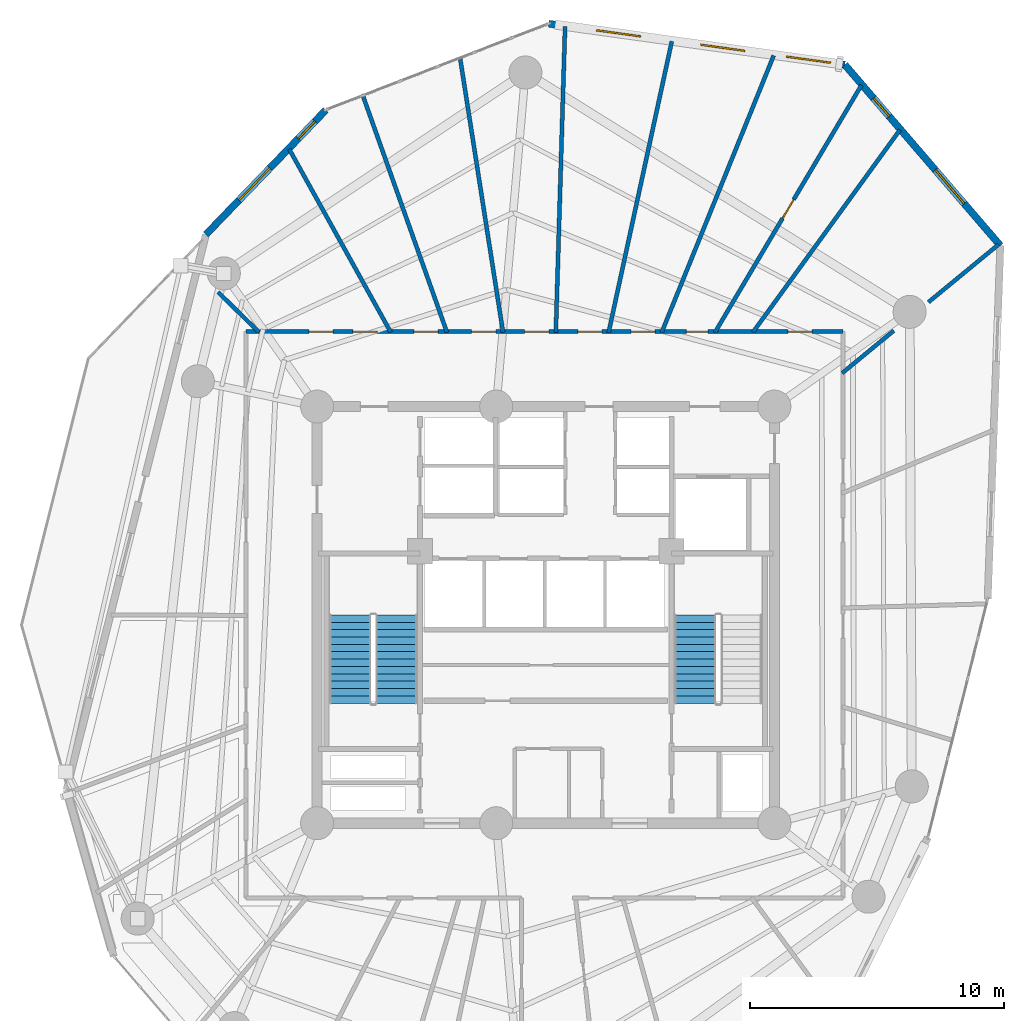
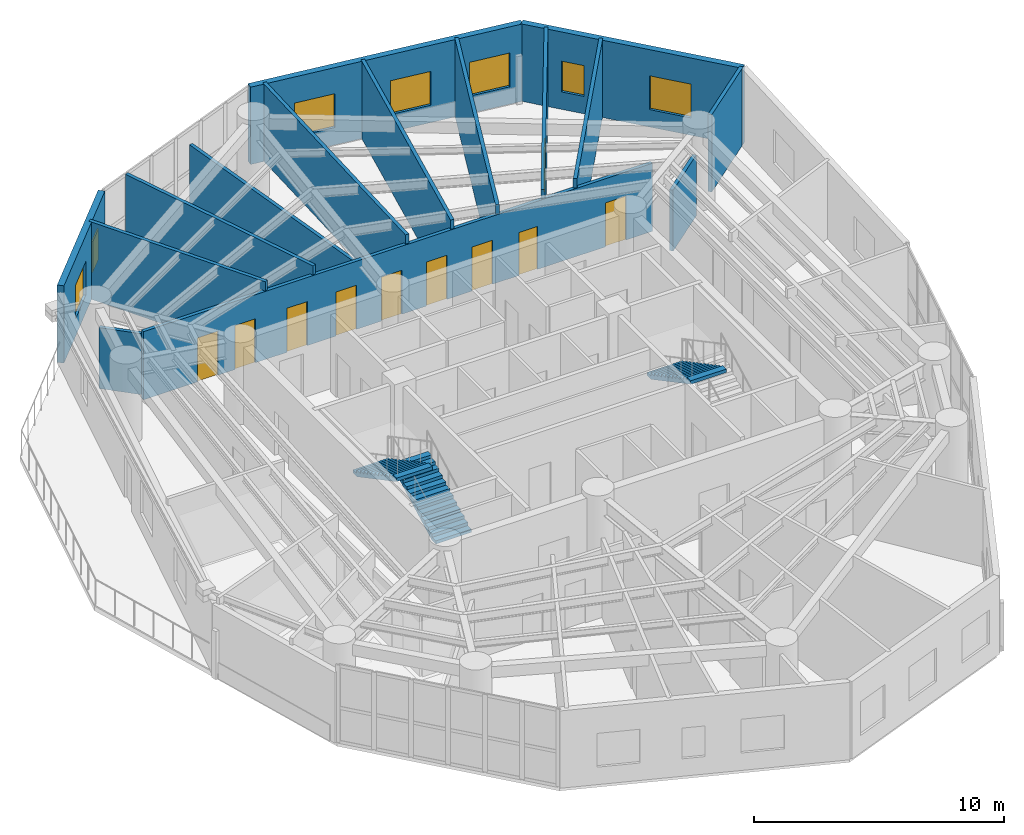
# One storey, part 10 of 14: 15 walls, 10 doors, 7 windows, 3 stair flights, 17 openings, 2 elements without a shape of their own.
"""IFC4 building model written with IfcOpenShell, lengths in metres."""

from ifc_helpers import new_model, si_unit, direction, frame, frame_2d, origin, origin_with_axes, place, context, subcontext, project, spatial, polyline, rectangle, outline, extrude, source, transform, mapped, material, layer, layer_set, type_object, element, fill, aggregate, save


model = new_model("IFC4")

# Units and contexts
model_context = context("Model", 3, precision=1e-05, world=origin(), true_north=direction((0.0, 1.0)))
body_context = subcontext(model_context, "Body", "Model", "MODEL_VIEW")
ifc_project = project(units=[si_unit("LENGTHUNIT", "METRE"), si_unit("AREAUNIT", "SQUARE_METRE"), si_unit("VOLUMEUNIT", "CUBIC_METRE"), si_unit("PLANEANGLEUNIT", "RADIAN"), si_unit("MASSUNIT", "GRAM", prefix="KILO")], contexts=[model_context])

# Site, building, storey
site_placement = place(None, origin())
site = spatial("IfcSite", under=ifc_project, at=site_placement, CompositionType="ELEMENT")
building_placement = place(site_placement, origin())
building = spatial("IfcBuilding", under=site, at=building_placement, Name="Karkom Vertical University and Central Library", CompositionType="ELEMENT")
storey_placement = place(building_placement, frame((0.0, 0.0, 152.550048828125)))
storey = spatial("IfcBuildingStorey", under=building, at=storey_placement, Name="L43", CompositionType="ELEMENT", Elevation=152.550048828125)

# Wall, openings, windows
ifc_material_1 = material(Name="Brick-faced precast concrete C45/55", Category="masonry")
ifc_layer_1 = layer(ifc_material_1, 0.280029296875)
ifc_layer_set_1 = layer_set([ifc_layer_1], Name="Brick-faced precast concrete C45/55")
wall_type_1 = type_object("IfcWallType", Name="ENV-WL-BRK-280", PredefinedType="SOLIDWALL", material=ifc_layer_set_1)
wall_1_placement = place(storey_placement, frame((46.398193359375, 41.035400390625, 0.0), z_axis=(0.0, 0.0, 1.0), x_axis=(-0.65197022464, 0.758244568845, 0.0)))
wall_1 = element("IfcWall", 1, at=wall_1_placement, inside=storey, type_object=wall_type_1, Name="Level 43 Brick-Faced Precast Facade Wall 08", PredefinedType="SOLIDWALL", context=body_context, shape_type="SweptSolid", body=[
    extrude(rectangle(XDim=9.39111328125, YDim=0.280029296875, at=frame_2d((4.695556640625, 0.0))), origin(), (0.0, 0.0, 1.0), 3.77490234375),
])
opening_1_placement = place(wall_1_placement, frame((2.1796875, 0.0, 0.85009765625)))
opening_1 = element("IfcOpeningElement", 2, at=opening_1_placement, cuts=wall_1, Name="Opening WN-08", PredefinedType="OPENING", context=body_context, shape_type="SweptSolid", body=[
    extrude(rectangle(XDim=1.75, YDim=1.64990234375, at=frame_2d((0.875, 0.824951171875))), frame((0.0, 0.14990234375, 0.0), z_axis=(0.0, -1.0, 0.0), x_axis=(1.0, 0.0, 0.0)), (0.0, 0.0, 1.0), 0.300048828125),
])
opening_2_placement = place(wall_1_placement, frame((6.710693359375, 0.0, 0.85009765625)))
opening_2 = element("IfcOpeningElement", 3, at=opening_2_placement, cuts=wall_1, Name="Opening WN-12", PredefinedType="OPENING", context=body_context, shape_type="SweptSolid", body=[
    extrude(rectangle(XDim=0.949951171875, YDim=1.5, at=frame_2d((0.47509765625, 0.75))), frame((0.0, 0.14990234375, 0.0), z_axis=(0.0, -1.0, 0.0), x_axis=(1.0, 0.0, 0.0)), (0.0, 0.0, 1.0), 0.300048828125),
])
ifc_material_2 = material(Name="Aluminium thermal-break frame with solar-control IGU", Category="aluminium")
window_type_1 = type_object("IfcWindowType", Name="ENV-WIN-WN-12", PartitioningType="SINGLE_PANEL", PredefinedType="WINDOW", material=ifc_material_2)
shared_shape_1 = source(origin_with_axes(), body_context, "Body", "SweptSolid", [
    extrude(rectangle(XDim=0.949951171875, YDim=1.5, at=frame_2d((0.47509765625, 0.75))), frame((0.0, 0.030029296875, 0.0), z_axis=(0.0, -1.0, 0.0), x_axis=(1.0, 0.0, 0.0)), (0.0, 0.0, 1.0), 0.06005859375),
])
window_1_placement = place(opening_2_placement, origin())
window_1 = element("IfcWindow", 4, at=window_1_placement, inside=storey, type_object=window_type_1, Name="Level 43 Punched Window 8.2", OverallHeight=1.5, OverallWidth=0.949951171875, PartitioningType="SINGLE_PANEL", PredefinedType="WINDOW", context=body_context, shape_type="MappedRepresentation", body=[
    mapped(shared_shape_1, transform((0.0, 0.0, 0.0), scale=1.0)),
])
fill(opening_2, window_1)
window_type_2 = type_object("IfcWindowType", Name="ENV-WIN-WN-08", PartitioningType="SINGLE_PANEL", PredefinedType="WINDOW", material=ifc_material_2)
shared_shape_2 = source(origin_with_axes(), body_context, "Body", "SweptSolid", [
    extrude(rectangle(XDim=1.75, YDim=1.64990234375, at=frame_2d((0.875, 0.824951171875))), frame((0.0, 0.030029296875, 0.0), z_axis=(0.0, -1.0, 0.0), x_axis=(1.0, 0.0, 0.0)), (0.0, 0.0, 1.0), 0.06005859375),
])
window_2_placement = place(opening_1_placement, origin())
window_2 = element("IfcWindow", 5, at=window_2_placement, inside=storey, type_object=window_type_2, Name="Level 43 Punched Window 8.1", OverallHeight=1.64990234375, OverallWidth=1.75, PartitioningType="SINGLE_PANEL", PredefinedType="WINDOW", context=body_context, shape_type="MappedRepresentation", body=[
    mapped(shared_shape_2, transform((0.0, 0.0, 0.0), scale=1.0)),
])
fill(opening_1, window_2)

wall_2_placement = place(storey_placement, frame((40.275390625, 48.15625, 0.0), z_axis=(0.0, 0.0, 1.0), x_axis=(-0.990517311094, 0.137387977726, 0.0)))
wall_2 = element("IfcWall", 6, at=wall_2_placement, inside=storey, type_object=wall_type_1, Name="Level 43 Brick-Faced Precast Facade Wall 09", PredefinedType="SOLIDWALL", context=body_context, shape_type="SweptSolid", body=[
    extrude(rectangle(XDim=11.765625, YDim=0.280029296875, at=frame_2d((5.8828125, 0.0))), origin(), (0.0, 0.0, 1.0), 3.77490234375),
])
opening_3_placement = place(wall_2_placement, frame((0.572021484375, 0.0, 0.85009765625)))
opening_3 = element("IfcOpeningElement", 7, at=opening_3_placement, cuts=wall_2, Name="Opening WN-08", PredefinedType="OPENING", context=body_context, shape_type="SweptSolid", body=[
    extrude(rectangle(XDim=1.75, YDim=1.64990234375, at=frame_2d((0.875, 0.824951171875))), frame((0.0, 0.14990234375, 0.0), z_axis=(0.0, -1.0, 0.0), x_axis=(1.0, 0.0, 0.0)), (0.0, 0.0, 1.0), 0.300048828125),
])
opening_4_placement = place(wall_2_placement, frame((3.98095703125, 0.0, 0.85009765625)))
opening_4 = element("IfcOpeningElement", 8, at=opening_4_placement, cuts=wall_2, Name="Opening WN-08", PredefinedType="OPENING", context=body_context, shape_type="SweptSolid", body=[
    extrude(rectangle(XDim=1.75, YDim=1.64990234375, at=frame_2d((0.875, 0.824951171875))), frame((0.0, 0.14990234375, 0.0), z_axis=(0.0, -1.0, 0.0), x_axis=(1.0, 0.0, 0.0)), (0.0, 0.0, 1.0), 0.300048828125),
])
opening_5_placement = place(wall_2_placement, frame((8.12060546875, 0.0, 0.85009765625)))
opening_5 = element("IfcOpeningElement", 9, at=opening_5_placement, cuts=wall_2, Name="Opening WN-08", PredefinedType="OPENING", context=body_context, shape_type="SweptSolid", body=[
    extrude(rectangle(XDim=1.75, YDim=1.64990234375, at=frame_2d((0.875, 0.824951171875))), frame((0.0, 0.14990234375, 0.0), z_axis=(0.0, -1.0, 0.0), x_axis=(1.0, 0.0, 0.0)), (0.0, 0.0, 1.0), 0.300048828125),
])
window_3_placement = place(opening_3_placement, origin())
window_3 = element("IfcWindow", 10, at=window_3_placement, inside=storey, type_object=window_type_2, Name="Level 43 Punched Window 9.1", OverallHeight=1.64990234375, OverallWidth=1.75, PartitioningType="SINGLE_PANEL", PredefinedType="WINDOW", context=body_context, shape_type="MappedRepresentation", body=[
    mapped(shared_shape_2, transform((0.0, 0.0, 0.0), scale=1.0)),
])
fill(opening_3, window_3)
window_4_placement = place(opening_4_placement, origin())
window_4 = element("IfcWindow", 11, at=window_4_placement, inside=storey, type_object=window_type_2, Name="Level 43 Punched Window 9.2", OverallHeight=1.64990234375, OverallWidth=1.75, PartitioningType="SINGLE_PANEL", PredefinedType="WINDOW", context=body_context, shape_type="MappedRepresentation", body=[
    mapped(shared_shape_2, transform((0.0, 0.0, 0.0), scale=1.0)),
])
fill(opening_4, window_4)
window_5_placement = place(opening_5_placement, origin())
window_5 = element("IfcWindow", 12, at=window_5_placement, inside=storey, type_object=window_type_2, Name="Level 43 Punched Window 9.3", OverallHeight=1.64990234375, OverallWidth=1.75, PartitioningType="SINGLE_PANEL", PredefinedType="WINDOW", context=body_context, shape_type="MappedRepresentation", body=[
    mapped(shared_shape_2, transform((0.0, 0.0, 0.0), scale=1.0)),
])
fill(opening_5, window_5)

wall_3_placement = place(storey_placement, frame((19.843994140625, 46.377197265625, 0.0), z_axis=(0.0, 0.0, 1.0), x_axis=(-0.69372431488, -0.720240636833, 0.0)))
wall_3 = element("IfcWall", 13, at=wall_3_placement, inside=storey, type_object=wall_type_1, Name="Level 43 Brick-Faced Precast Facade Wall 11", PredefinedType="SOLIDWALL", context=body_context, shape_type="SweptSolid", body=[
    extrude(rectangle(XDim=6.813232421875, YDim=0.280029296875, at=frame_2d((3.40673828125, 0.0))), origin(), (0.0, 0.0, 1.0), 3.77490234375),
])
opening_6_placement = place(wall_3_placement, frame((0.61572265625, 0.0, 0.85009765625)))
opening_6 = element("IfcOpeningElement", 14, at=opening_6_placement, cuts=wall_3, Name="Opening WN-12", PredefinedType="OPENING", context=body_context, shape_type="SweptSolid", body=[
    extrude(rectangle(XDim=0.949951171875, YDim=1.5, at=frame_2d((0.47509765625, 0.75))), frame((0.0, 0.14990234375, 0.0), z_axis=(0.0, -1.0, 0.0), x_axis=(1.0, 0.0, 0.0)), (0.0, 0.0, 1.0), 0.300048828125),
])
opening_7_placement = place(wall_3_placement, frame((3.180419921875, 0.0, 0.85009765625)))
opening_7 = element("IfcOpeningElement", 15, at=opening_7_placement, cuts=wall_3, Name="Opening WN-08", PredefinedType="OPENING", context=body_context, shape_type="SweptSolid", body=[
    extrude(rectangle(XDim=1.75, YDim=1.64990234375, at=frame_2d((0.875, 0.824951171875))), frame((0.0, 0.14990234375, 0.0), z_axis=(0.0, -1.0, 0.0), x_axis=(1.0, 0.0, 0.0)), (0.0, 0.0, 1.0), 0.300048828125),
])
window_6_placement = place(opening_6_placement, origin())
window_6 = element("IfcWindow", 16, at=window_6_placement, inside=storey, type_object=window_type_1, Name="Level 43 Punched Window 11.1", OverallHeight=1.5, OverallWidth=0.949951171875, PartitioningType="SINGLE_PANEL", PredefinedType="WINDOW", context=body_context, shape_type="MappedRepresentation", body=[
    mapped(shared_shape_1, transform((0.0, 0.0, 0.0), scale=1.0)),
])
fill(opening_6, window_6)
window_7_placement = place(opening_7_placement, origin())
window_7 = element("IfcWindow", 17, at=window_7_placement, inside=storey, type_object=window_type_2, Name="Level 43 Punched Window 11.2", OverallHeight=1.64990234375, OverallWidth=1.75, PartitioningType="SINGLE_PANEL", PredefinedType="WINDOW", context=body_context, shape_type="MappedRepresentation", body=[
    mapped(shared_shape_2, transform((0.0, 0.0, 0.0), scale=1.0)),
])
fill(opening_7, window_7)

# Wall, openings, doors
ifc_material_3 = material(Name="Insulated metal-stud drywall 160mm", Category="gypsum")
ifc_layer_2 = layer(ifc_material_3, 0.159912109375)
ifc_layer_set_2 = layer_set([ifc_layer_2], Name="Insulated metal-stud drywall 160mm")
wall_type_2 = type_object("IfcWallType", Name="INT-WL-COR-160", PredefinedType="PARTITIONING", material=ifc_layer_set_2)
wall_4_placement = place(storey_placement, frame((16.699951171875, 37.64990234375, 0.0), z_axis=(0.0, 0.0, 1.0), x_axis=(1.0, 0.0, 0.0)))
wall_4 = element("IfcWall", 18, at=wall_4_placement, inside=storey, type_object=wall_type_2, Name="Level 43 Interior Partition Wall L43-CORW-CW-003", PredefinedType="PARTITIONING", context=body_context, shape_type="SweptSolid", body=[
    extrude(rectangle(XDim=23.5, YDim=0.159912109375, at=frame_2d((11.75, 0.0))), origin(), (0.0, 0.0, 1.0), 3.324951171875),
])
opening_8_placement = place(wall_4_placement, frame((21.330810546875, 0.0, 0.0)))
opening_8 = element("IfcOpeningElement", 19, at=opening_8_placement, cuts=wall_4, Name="Opening D-RM1", PredefinedType="OPENING", context=body_context, shape_type="SweptSolid", body=[
    extrude(rectangle(XDim=0.949951171875, YDim=2.14990234375, at=frame_2d((0.47509765625, 1.074951171875))), frame((0.0, 0.08984375, 0.0), z_axis=(0.0, -1.0, 0.0), x_axis=(1.0, 0.0, 0.0)), (0.0, 0.0, 1.0), 0.179931640625),
])
opening_9_placement = place(wall_4_placement, frame((17.334228515625, 0.0, 0.0)))
opening_9 = element("IfcOpeningElement", 20, at=opening_9_placement, cuts=wall_4, Name="Opening D-BATH", PredefinedType="OPENING", context=body_context, shape_type="SweptSolid", body=[
    extrude(rectangle(XDim=0.860107421875, YDim=2.10009765625, at=frame_2d((0.43017578125, 1.050048828125))), frame((0.0, 0.08984375, 0.0), z_axis=(0.0, -1.0, 0.0), x_axis=(1.0, 0.0, 0.0)), (0.0, 0.0, 1.0), 0.179931640625),
])
opening_10_placement = place(wall_4_placement, frame((15.159912109375, 0.0, 0.0)))
opening_10 = element("IfcOpeningElement", 21, at=opening_10_placement, cuts=wall_4, Name="Opening D-RM1", PredefinedType="OPENING", context=body_context, shape_type="SweptSolid", body=[
    extrude(rectangle(XDim=0.949951171875, YDim=2.14990234375, at=frame_2d((0.47509765625, 1.074951171875))), frame((0.0, 0.08984375, 0.0), z_axis=(0.0, -1.0, 0.0), x_axis=(1.0, 0.0, 0.0)), (0.0, 0.0, 1.0), 0.179931640625),
])
opening_11_placement = place(wall_4_placement, frame((13.06005859375, 0.0, 0.0)))
opening_11 = element("IfcOpeningElement", 22, at=opening_11_placement, cuts=wall_4, Name="Opening D-RM1", PredefinedType="OPENING", context=body_context, shape_type="SweptSolid", body=[
    extrude(rectangle(XDim=0.949951171875, YDim=2.14990234375, at=frame_2d((0.47509765625, 1.074951171875))), frame((0.0, 0.08984375, 0.0), z_axis=(0.0, -1.0, 0.0), x_axis=(1.0, 0.0, 0.0)), (0.0, 0.0, 1.0), 0.179931640625),
])
opening_12_placement = place(wall_4_placement, frame((10.972900390625, 0.0, 0.0)))
opening_12 = element("IfcOpeningElement", 23, at=opening_12_placement, cuts=wall_4, Name="Opening D-RM1", PredefinedType="OPENING", context=body_context, shape_type="SweptSolid", body=[
    extrude(rectangle(XDim=0.949951171875, YDim=2.14990234375, at=frame_2d((0.47509765625, 1.074951171875))), frame((0.0, 0.08984375, 0.0), z_axis=(0.0, -1.0, 0.0), x_axis=(1.0, 0.0, 0.0)), (0.0, 0.0, 1.0), 0.179931640625),
])
opening_13_placement = place(wall_4_placement, frame((8.885009765625, 0.0, 0.0)))
opening_13 = element("IfcOpeningElement", 24, at=opening_13_placement, cuts=wall_4, Name="Opening D-RM1", PredefinedType="OPENING", context=body_context, shape_type="SweptSolid", body=[
    extrude(rectangle(XDim=0.949951171875, YDim=2.14990234375, at=frame_2d((0.47509765625, 1.074951171875))), frame((0.0, 0.08984375, 0.0), z_axis=(0.0, -1.0, 0.0), x_axis=(1.0, 0.0, 0.0)), (0.0, 0.0, 1.0), 0.179931640625),
])
opening_14_placement = place(wall_4_placement, frame((6.610107421875, 0.0, 0.0)))
opening_14 = element("IfcOpeningElement", 25, at=opening_14_placement, cuts=wall_4, Name="Opening D-RM1", PredefinedType="OPENING", context=body_context, shape_type="SweptSolid", body=[
    extrude(rectangle(XDim=0.949951171875, YDim=2.14990234375, at=frame_2d((0.47509765625, 1.074951171875))), frame((0.0, 0.08984375, 0.0), z_axis=(0.0, -1.0, 0.0), x_axis=(1.0, 0.0, 0.0)), (0.0, 0.0, 1.0), 0.179931640625),
])
opening_15_placement = place(wall_4_placement, frame((4.2099609375, 0.0, 0.0)))
opening_15 = element("IfcOpeningElement", 26, at=opening_15_placement, cuts=wall_4, Name="Opening D-RM1", PredefinedType="OPENING", context=body_context, shape_type="SweptSolid", body=[
    extrude(rectangle(XDim=0.949951171875, YDim=2.14990234375, at=frame_2d((0.47509765625, 1.074951171875))), frame((0.0, 0.08984375, 0.0), z_axis=(0.0, -1.0, 0.0), x_axis=(1.0, 0.0, 0.0)), (0.0, 0.0, 1.0), 0.179931640625),
])
opening_16_placement = place(wall_4_placement, frame((2.481689453125, 0.0, 0.0)))
opening_16 = element("IfcOpeningElement", 27, at=opening_16_placement, cuts=wall_4, Name="Opening D-RM1", PredefinedType="OPENING", context=body_context, shape_type="SweptSolid", body=[
    extrude(rectangle(XDim=0.949951171875, YDim=2.14990234375, at=frame_2d((0.47509765625, 1.074951171875))), frame((0.0, 0.08984375, 0.0), z_axis=(0.0, -1.0, 0.0), x_axis=(1.0, 0.0, 0.0)), (0.0, 0.0, 1.0), 0.179931640625),
])
ifc_material_4 = material(Name="Moisture-resistant oak door", Category="wood")
door_type_1 = type_object("IfcDoorType", Name="INT-DR-BATH", OperationType="NOTDEFINED", PredefinedType="DOOR", material=ifc_material_4)
shared_shape_3 = source(origin_with_axes(), body_context, "Body", "SweptSolid", [
    extrude(rectangle(XDim=0.860107421875, YDim=2.10009765625, at=frame_2d((0.43017578125, 1.050048828125))), frame((0.0, 0.02490234375, 0.0), z_axis=(0.0, -1.0, 0.0), x_axis=(1.0, 0.0, 0.0)), (0.0, 0.0, 1.0), 0.050048828125),
])
door_1_placement = place(opening_9_placement, origin())
door_1 = element("IfcDoor", 28, at=door_1_placement, inside=storey, type_object=door_type_1, Name="Level 43 Room Entry Door 150", OperationType="SINGLE_SWING_RIGHT", OverallHeight=2.10009765625, OverallWidth=0.860107421875, PredefinedType="DOOR", context=body_context, shape_type="MappedRepresentation", body=[
    mapped(shared_shape_3, transform((0.0, 0.0, 0.0), scale=1.0)),
])
fill(opening_9, door_1)
ifc_material_5 = material(Name="Solid-core oak veneer door", Category="wood")
door_type_2 = type_object("IfcDoorType", Name="INT-DR-RM1", OperationType="NOTDEFINED", PredefinedType="DOOR", material=ifc_material_5)
shared_shape_4 = source(origin_with_axes(), body_context, "Body", "SweptSolid", [
    extrude(rectangle(XDim=0.949951171875, YDim=2.14990234375, at=frame_2d((0.47509765625, 1.074951171875))), frame((0.0, 0.02490234375, 0.0), z_axis=(0.0, -1.0, 0.0), x_axis=(1.0, 0.0, 0.0)), (0.0, 0.0, 1.0), 0.050048828125),
])
door_2_placement = place(opening_8_placement, origin())
door_2 = element("IfcDoor", 29, at=door_2_placement, inside=storey, type_object=door_type_2, Name="Level 43 Room Entry Door 140", OperationType="SINGLE_SWING_LEFT", OverallHeight=2.14990234375, OverallWidth=0.949951171875, PredefinedType="DOOR", context=body_context, shape_type="MappedRepresentation", body=[
    mapped(shared_shape_4, transform((0.0, 0.0, 0.0), scale=1.0)),
])
fill(opening_8, door_2)
door_3_placement = place(opening_10_placement, origin())
door_3 = element("IfcDoor", 30, at=door_3_placement, inside=storey, type_object=door_type_2, Name="Level 43 Room Entry Door 160", OperationType="SINGLE_SWING_LEFT", OverallHeight=2.14990234375, OverallWidth=0.949951171875, PredefinedType="DOOR", context=body_context, shape_type="MappedRepresentation", body=[
    mapped(shared_shape_4, transform((0.0, 0.0, 0.0), scale=1.0)),
])
fill(opening_10, door_3)
door_4_placement = place(opening_11_placement, origin())
door_4 = element("IfcDoor", 31, at=door_4_placement, inside=storey, type_object=door_type_2, Name="Level 43 Room Entry Door 170", OperationType="SINGLE_SWING_RIGHT", OverallHeight=2.14990234375, OverallWidth=0.949951171875, PredefinedType="DOOR", context=body_context, shape_type="MappedRepresentation", body=[
    mapped(shared_shape_4, transform((0.0, 0.0, 0.0), scale=1.0)),
])
fill(opening_11, door_4)
door_5_placement = place(opening_12_placement, origin())
door_5 = element("IfcDoor", 32, at=door_5_placement, inside=storey, type_object=door_type_2, Name="Level 43 Room Entry Door 180", OperationType="SINGLE_SWING_LEFT", OverallHeight=2.14990234375, OverallWidth=0.949951171875, PredefinedType="DOOR", context=body_context, shape_type="MappedRepresentation", body=[
    mapped(shared_shape_4, transform((0.0, 0.0, 0.0), scale=1.0)),
])
fill(opening_12, door_5)
door_6_placement = place(opening_13_placement, origin())
door_6 = element("IfcDoor", 33, at=door_6_placement, inside=storey, type_object=door_type_2, Name="Level 43 Room Entry Door 190", OperationType="SINGLE_SWING_RIGHT", OverallHeight=2.14990234375, OverallWidth=0.949951171875, PredefinedType="DOOR", context=body_context, shape_type="MappedRepresentation", body=[
    mapped(shared_shape_4, transform((0.0, 0.0, 0.0), scale=1.0)),
])
fill(opening_13, door_6)
door_7_placement = place(opening_14_placement, origin())
door_7 = element("IfcDoor", 34, at=door_7_placement, inside=storey, type_object=door_type_2, Name="Level 43 Room Entry Door 200", OperationType="SINGLE_SWING_LEFT", OverallHeight=2.14990234375, OverallWidth=0.949951171875, PredefinedType="DOOR", context=body_context, shape_type="MappedRepresentation", body=[
    mapped(shared_shape_4, transform((0.0, 0.0, 0.0), scale=1.0)),
])
fill(opening_14, door_7)
door_8_placement = place(opening_15_placement, origin())
door_8 = element("IfcDoor", 35, at=door_8_placement, inside=storey, type_object=door_type_2, Name="Level 43 Room Entry Door 210", OperationType="SINGLE_SWING_RIGHT", OverallHeight=2.14990234375, OverallWidth=0.949951171875, PredefinedType="DOOR", context=body_context, shape_type="MappedRepresentation", body=[
    mapped(shared_shape_4, transform((0.0, 0.0, 0.0), scale=1.0)),
])
fill(opening_15, door_8)
door_9_placement = place(opening_16_placement, origin())
door_9 = element("IfcDoor", 36, at=door_9_placement, inside=storey, type_object=door_type_2, Name="Level 43 Room Entry Door 220", OperationType="SINGLE_SWING_LEFT", OverallHeight=2.14990234375, OverallWidth=0.949951171875, PredefinedType="DOOR", context=body_context, shape_type="MappedRepresentation", body=[
    mapped(shared_shape_4, transform((0.0, 0.0, 0.0), scale=1.0)),
])
fill(opening_16, door_9)

# Walls
wall_5_placement = place(storey_placement, frame((28.896240234375, 37.6201171875, 0.0), z_axis=(0.0, 0.0, 1.0), x_axis=(0.030223460997, 0.999543166854, 0.0)))
element("IfcWall", 37, at=wall_5_placement, inside=storey, type_object=wall_type_2, Name="Level 43 Interior Partition Wall L43-PW-022", PredefinedType="PARTITIONING", context=body_context, shape_type="SweptSolid", body=[
    extrude(rectangle(XDim=12.044189453125, YDim=0.159912109375, at=frame_2d((6.02197265625, 0.0))), origin(), (0.0, 0.0, 1.0), 3.77490234375),
])
wall_6_placement = place(storey_placement, frame((33.05908203125, 37.6083984375, 0.0), z_axis=(0.0, 0.0, 1.0), x_axis=(0.375071800274, 0.926995763011, 0.0)))
element("IfcWall", 38, at=wall_6_placement, inside=storey, type_object=wall_type_2, Name="Level 43 Interior Partition Wall L43-PW-020", PredefinedType="PARTITIONING", context=body_context, shape_type="SweptSolid", body=[
    extrude(rectangle(XDim=11.7685546875, YDim=0.159912109375, at=frame_2d((5.88427734375, 0.0))), origin(), (0.0, 0.0, 1.0), 3.77490234375),
])
wall_7_placement = place(storey_placement, frame((30.97216796875, 37.60595703125, 0.0), z_axis=(0.0, 0.0, 1.0), x_axis=(0.212126520702, 0.97724221113, 0.0)))
element("IfcWall", 39, at=wall_7_placement, inside=storey, type_object=wall_type_2, Name="Level 43 Interior Partition Wall L43-PW-021", PredefinedType="PARTITIONING", context=body_context, shape_type="SweptSolid", body=[
    extrude(rectangle(XDim=11.737060546875, YDim=0.159912109375, at=frame_2d((5.86865234375, 0.0))), origin(), (0.0, 0.0, 1.0), 3.77490234375),
])

# Wall, opening, door
wall_8_placement = place(storey_placement, frame((35.155029296875, 37.611328125, 0.0), z_axis=(0.0, 0.0, 1.0), x_axis=(0.509830756174, 0.860274723597, 0.0)))
wall_8 = element("IfcWall", 40, at=wall_8_placement, inside=storey, type_object=wall_type_2, Name="Level 43 Interior Partition Wall L43-PW-019", PredefinedType="PARTITIONING", context=body_context, shape_type="SweptSolid", body=[
    extrude(rectangle(XDim=11.32421875, YDim=0.159912109375, at=frame_2d((5.662109375, 0.0))), origin(), (0.0, 0.0, 1.0), 3.77490234375),
])
opening_17_placement = place(wall_8_placement, frame((5.232177734375, 0.0, 0.0)))
opening_17 = element("IfcOpeningElement", 41, at=opening_17_placement, cuts=wall_8, Name="Opening FD-BTH2", PredefinedType="OPENING", context=body_context, shape_type="SweptSolid", body=[
    extrude(rectangle(XDim=0.860107421875, YDim=2.0400390625, at=frame_2d((0.43017578125, 1.02001953125))), frame((0.0, 0.08984375, 0.0), z_axis=(0.0, -1.0, 0.0), x_axis=(1.0, 0.0, 0.0)), (0.0, 0.0, 1.0), 0.179931640625),
])
ifc_material_6 = material(Name="Fire-rated moisture-resistant oak door", Category="wood")
door_type_3 = type_object("IfcDoorType", Name="INT-DR-FBTH2", OperationType="NOTDEFINED", PredefinedType="DOOR", material=ifc_material_6)
shared_shape_5 = source(origin_with_axes(), body_context, "Body", "SweptSolid", [
    extrude(rectangle(XDim=0.860107421875, YDim=2.0400390625, at=frame_2d((0.43017578125, 1.02001953125))), frame((0.0, 0.02490234375, 0.0), z_axis=(0.0, -1.0, 0.0), x_axis=(1.0, 0.0, 0.0)), (0.0, 0.0, 1.0), 0.050048828125),
])
door_10_placement = place(opening_17_placement, origin())
door_10 = element("IfcDoor", 42, at=door_10_placement, inside=storey, type_object=door_type_3, Name="Level 43 Faculty Consultation and Research Office Entry Door", OperationType="SINGLE_SWING_RIGHT", OverallHeight=2.0400390625, OverallWidth=0.860107421875, PredefinedType="DOOR", context=body_context, shape_type="MappedRepresentation", body=[
    mapped(shared_shape_5, transform((0.0, 0.0, 0.0), scale=1.0)),
])
fill(opening_17, door_10)

# Walls
wall_9_placement = place(storey_placement, frame((26.819580078125, 37.620361328125, 0.0), z_axis=(0.0, 0.0, 1.0), x_axis=(-0.154665737916, 0.987966856486, 0.0)))
element("IfcWall", 43, at=wall_9_placement, inside=storey, type_object=wall_type_2, Name="Level 43 Interior Partition Wall L43-PW-023", PredefinedType="PARTITIONING", context=body_context, shape_type="SweptSolid", body=[
    extrude(rectangle(XDim=10.906005859375, YDim=0.159912109375, at=frame_2d((5.453125, 0.0))), origin(), (0.0, 0.0, 1.0), 2.974853515625),
])
wall_10_placement = place(storey_placement, frame((24.6123046875, 37.62158203125, 0.0), z_axis=(0.0, 0.0, 1.0), x_axis=(-0.334765052353, 0.942301628845, 0.0)))
element("IfcWall", 44, at=wall_10_placement, inside=storey, type_object=wall_type_2, Name="Level 43 Interior Partition Wall L43-PW-024", PredefinedType="PARTITIONING", context=body_context, shape_type="SweptSolid", body=[
    extrude(rectangle(XDim=9.864990234375, YDim=0.159912109375, at=frame_2d((4.9326171875, 0.0))), origin(), (0.0, 0.0, 1.0), 3.77490234375),
])
wall_11_placement = place(storey_placement, frame((36.65576171875, 37.625732421875, 0.0), z_axis=(0.0, 0.0, 1.0), x_axis=(0.587701388375, 0.809077918437, 0.0)))
element("IfcWall", 45, at=wall_11_placement, inside=storey, type_object=wall_type_2, Name="Level 43 Interior Partition Wall L43-PW-018", PredefinedType="PARTITIONING", context=body_context, shape_type="SweptSolid", body=[
    extrude(rectangle(XDim=9.848388671875, YDim=0.159912109375, at=frame_2d((4.92431640625, 0.0))), origin(), (0.0, 0.0, 1.0), 3.77490234375),
])
wall_12_placement = place(storey_placement, frame((22.39990234375, 37.623779296875, 0.0), z_axis=(0.0, 0.0, 1.0), x_axis=(-0.484964263247, 0.87453396925, 0.0)))
element("IfcWall", 46, at=wall_12_placement, inside=storey, type_object=wall_type_2, Name="Level 43 Interior Partition Wall L43-PW-025", PredefinedType="PARTITIONING", context=body_context, shape_type="SweptSolid", body=[
    extrude(rectangle(XDim=8.24853515625, YDim=0.159912109375, at=frame_2d((4.124267578125, 0.0))), origin(), (0.0, 0.0, 1.0), 3.77490234375),
])
wall_13_placement = place(storey_placement, frame((43.56396484375, 38.810546875, 0.0), z_axis=(0.0, 0.0, 1.0), x_axis=(0.772363696514, 0.635180541506, 0.0)))
element("IfcWall", 47, at=wall_13_placement, inside=storey, type_object=wall_type_2, Name="Level 43 Interior Partition Wall L43-PW-017", PredefinedType="PARTITIONING", context=body_context, shape_type="SweptSolid", body=[
    extrude(rectangle(XDim=3.575439453125, YDim=0.159912109375, at=frame_2d((1.78759765625, 0.0))), origin(), (0.0, 0.0, 1.0), 3.77490234375),
])
wall_14_placement = place(storey_placement, frame((40.165283203125, 36.015380859375, 0.0), z_axis=(0.0, 0.0, 1.0), x_axis=(0.77233956331, 0.635209885743, 0.0)))
element("IfcWall", 48, at=wall_14_placement, inside=storey, type_object=wall_type_2, Name="Level 43 Interior Partition Wall L43-PW-016", PredefinedType="PARTITIONING", context=body_context, shape_type="SweptSolid", body=[
    extrude(rectangle(XDim=2.633056640625, YDim=0.159912109375, at=frame_2d((1.31640625, 0.0))), origin(), (0.0, 0.0, 1.0), 2.974853515625),
])
wall_15_placement = place(storey_placement, frame((17.212890625, 37.62890625, 0.0), z_axis=(0.0, 0.0, 1.0), x_axis=(-0.71471376476, 0.699417067609, 0.0)))
element("IfcWall", 49, at=wall_15_placement, inside=storey, type_object=wall_type_2, Name="Level 43 Interior Partition Wall L43-PW-026", PredefinedType="PARTITIONING", context=body_context, shape_type="SweptSolid", body=[
    extrude(rectangle(XDim=2.25048828125, YDim=0.159912109375, at=frame_2d((1.125244140625, 0.0))), origin(), (0.0, 0.0, 1.0), 2.974853515625),
])

# Stair, stair flights
ifc_material_7 = material(Name="Concrete C45/55", Category="concrete")
stair_type = type_object("IfcStairType", Name="INT-STR-ST-MAIN", PredefinedType="HALF_TURN_STAIR", material=ifc_material_7)
stair_1_placement = place(storey_placement, origin())
stair_1 = element("IfcStair", 50, at=stair_1_placement, inside=storey, type_object=stair_type, Name="Level 43 Tower Protected Exit Stair ST-1", PredefinedType="HALF_TURN_STAIR")
stair_flight_type = type_object("IfcStairFlightType", Name="INT-SFL-ST-MAIN", PredefinedType="STRAIGHT", material=ifc_material_7)
stair_flight_1_placement = place(storey_placement, frame((22.614990234375, 23.02001953125, 0.0), z_axis=(0.0, 0.0, 1.0), x_axis=(0.0, 1.0, 0.0)))
stair_flight_1 = element("IfcStairFlight", 51, at=stair_flight_1_placement, type_object=stair_flight_type, Name="ST-1 flight 1", NumberOfRisers=13, NumberOfTreads=12, PredefinedType="STRAIGHT", RiserHeight=0.153846154, TreadLength=0.29, context=body_context, shape_type="SweptSolid", body=[
    extrude(outline(polyline([(0.0, 0.0), (0.0, 0.15380859375), (0.2900390625, 0.15380859375), (0.2900390625, 0.3076171875), (0.580078125, 0.3076171875), (0.580078125, 0.46142578125), (0.8701171875, 0.46142578125), (0.8701171875, 0.615478515625), (1.159912109375, 0.615478515625), (1.159912109375, 0.769287109375), (1.449951171875, 0.769287109375), (1.449951171875, 0.923095703125), (1.739990234375, 0.923095703125), (1.739990234375, 1.076904296875), (2.030029296875, 1.076904296875), (2.030029296875, 1.230712890625), (2.320068359375, 1.230712890625), (2.320068359375, 1.384521484375), (2.610107421875, 1.384521484375), (2.610107421875, 1.53857421875), (2.89990234375, 1.53857421875), (2.89990234375, 1.6923828125), (3.18994140625, 1.6923828125), (3.18994140625, 1.84619140625), (3.47998046875, 1.84619140625), (3.47998046875, 2.0), (3.47998046875, 1.676513671875), (0.31982421875, 0.0), (0.0, 0.0)])), frame((0.0, 0.824951171875, 0.0), z_axis=(0.0, -1.0, 0.0), x_axis=(1.0, 0.0, 0.0)), (0.0, 0.0, 1.0), 1.64990234375),
])
stair_flight_2_placement = place(storey_placement, frame((20.804931640625, 26.5, 2.0), z_axis=(0.0, 0.0, 1.0), x_axis=(0.0, -1.0, 0.0)))
stair_flight_2 = element("IfcStairFlight", 52, at=stair_flight_2_placement, type_object=stair_flight_type, Name="ST-1 flight 2", NumberOfRisers=13, NumberOfTreads=12, PredefinedType="STRAIGHT", RiserHeight=0.153846154, TreadLength=0.29, context=body_context, shape_type="SweptSolid", body=[
    extrude(outline(polyline([(0.0, 0.0), (0.0, 0.15380859375), (0.2900390625, 0.15380859375), (0.2900390625, 0.3076171875), (0.580078125, 0.3076171875), (0.580078125, 0.46142578125), (0.8701171875, 0.46142578125), (0.8701171875, 0.615478515625), (1.159912109375, 0.615478515625), (1.159912109375, 0.769287109375), (1.449951171875, 0.769287109375), (1.449951171875, 0.923095703125), (1.739990234375, 0.923095703125), (1.739990234375, 1.076904296875), (2.030029296875, 1.076904296875), (2.030029296875, 1.230712890625), (2.320068359375, 1.230712890625), (2.320068359375, 1.384521484375), (2.610107421875, 1.384521484375), (2.610107421875, 1.53857421875), (2.89990234375, 1.53857421875), (2.89990234375, 1.6923828125), (3.18994140625, 1.6923828125), (3.18994140625, 1.84619140625), (3.47998046875, 1.84619140625), (3.47998046875, 2.0), (3.47998046875, 1.676513671875), (0.31982421875, 0.0), (0.0, 0.0)])), frame((0.0, 0.824951171875, 0.0), z_axis=(0.0, -1.0, 0.0), x_axis=(1.0, 0.0, 0.0)), (0.0, 0.0, 1.0), 1.64990234375),
])
aggregate(stair_1, [stair_flight_1, stair_flight_2])

# Stair, stair flight
stair_2_placement = place(storey_placement, origin())
stair_2 = element("IfcStair", 53, at=stair_2_placement, inside=storey, type_object=stair_type, Name="Level 43 Tower Protected Exit Stair ST-2", PredefinedType="HALF_TURN_STAIR")
stair_flight_3_placement = place(storey_placement, frame((34.385009765625, 26.5, 2.0), z_axis=(0.0, 0.0, 1.0), x_axis=(0.0, -1.0, 0.0)))
stair_flight_3 = element("IfcStairFlight", 54, at=stair_flight_3_placement, type_object=stair_flight_type, Name="ST-2 flight 2", NumberOfRisers=13, NumberOfTreads=12, PredefinedType="STRAIGHT", RiserHeight=0.153846154, TreadLength=0.29, context=body_context, shape_type="SweptSolid", body=[
    extrude(outline(polyline([(0.0, 0.0), (0.0, 0.15380859375), (0.2900390625, 0.15380859375), (0.2900390625, 0.3076171875), (0.580078125, 0.3076171875), (0.580078125, 0.46142578125), (0.8701171875, 0.46142578125), (0.8701171875, 0.615478515625), (1.159912109375, 0.615478515625), (1.159912109375, 0.769287109375), (1.449951171875, 0.769287109375), (1.449951171875, 0.923095703125), (1.739990234375, 0.923095703125), (1.739990234375, 1.076904296875), (2.030029296875, 1.076904296875), (2.030029296875, 1.230712890625), (2.320068359375, 1.230712890625), (2.320068359375, 1.384521484375), (2.610107421875, 1.384521484375), (2.610107421875, 1.53857421875), (2.89990234375, 1.53857421875), (2.89990234375, 1.6923828125), (3.18994140625, 1.6923828125), (3.18994140625, 1.84619140625), (3.47998046875, 1.84619140625), (3.47998046875, 2.0), (3.47998046875, 1.676513671875), (0.31982421875, 0.0), (0.0, 0.0)])), frame((0.0, 0.824951171875, 0.0), z_axis=(0.0, -1.0, 0.0), x_axis=(1.0, 0.0, 0.0)), (0.0, 0.0, 1.0), 1.64990234375),
])
aggregate(stair_2, [stair_flight_3])

save(model, "model.ifc")
